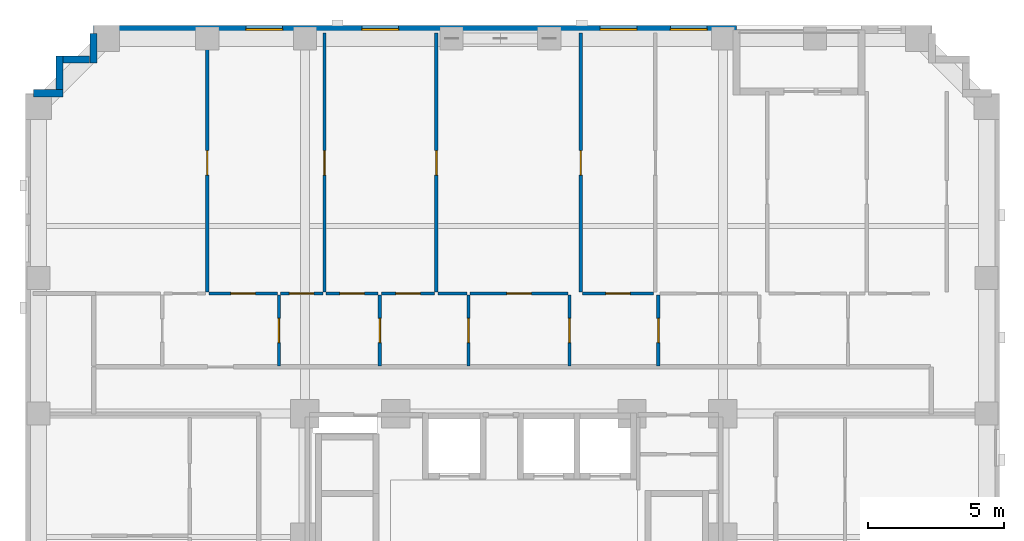
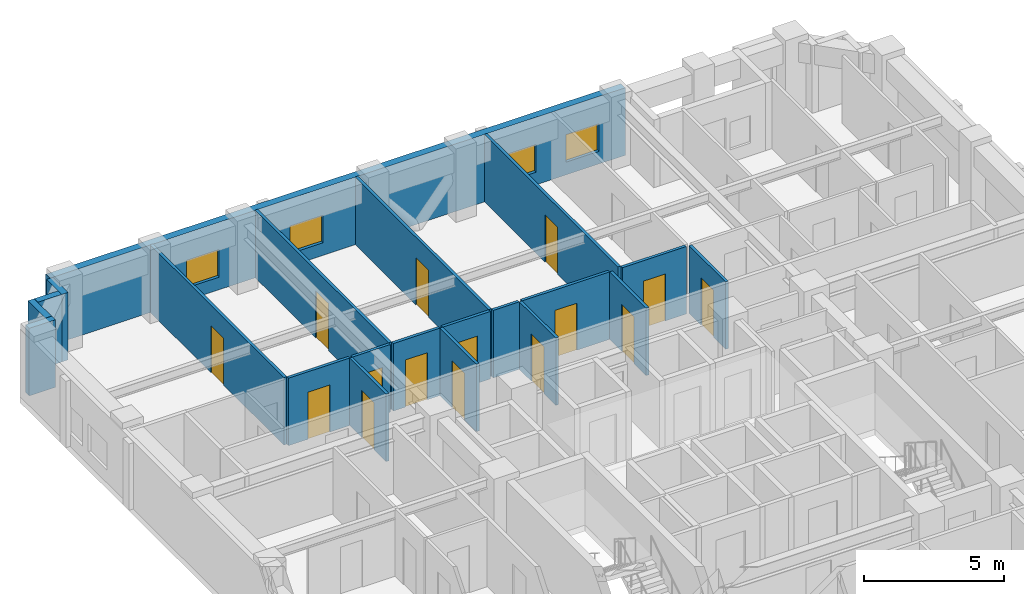
# One storey, part 7 of 12: 21 walls, 15 doors, 4 windows, 19 openings.
"""IFC4 building model written with IfcOpenShell, lengths in metres."""

import ifcopenshell
import ifcopenshell.guid

model = None  # the IFC model being written
_history = None  # IfcOwnerHistory: only IFC2X3 demands one
_inside = {}  # id of a spatial element -> (the spatial element, [elements in it])
_under = {}  # id of a project, library or spatial element -> (it, [spatial elements below it])
_declared = {}  # id of a project -> (the project, [libraries it declares])
_typed = {}  # id of a type object -> (the type object, [elements of that type])
_made_of = {}  # id of a material, layer set ... -> (it, [elements and type objects made of it])


def new_model(schema):
    """Start an empty IFC model of exactly this schema.

    Asked for "IFC4X3", IfcOpenShell would pick the latest addendum, in which some entities
    have other attributes; the version numbers below select the first issue.
    IFC2X3 requires an IfcOwnerHistory on every rooted entity: one is made here for all.
    """
    global model, _history
    if schema == "IFC4X3":
        model = ifcopenshell.file(schema_version=(4, 3, 0, 0))
    else:
        model = ifcopenshell.file(schema=schema)
    _inside.clear()
    _under.clear()
    _declared.clear()
    _typed.clear()
    _made_of.clear()
    _history = None
    if model.schema == "IFC2X3":
        org = make("IfcOrganization", Name="unknown")
        user = make(
            "IfcPersonAndOrganization",
            ThePerson=make("IfcPerson", FamilyName="unknown"),
            TheOrganization=org,
        )
        app = make(
            "IfcApplication",
            ApplicationDeveloper=org,
            Version="unknown",
            ApplicationFullName="unknown",
            ApplicationIdentifier="unknown",
        )
        _history = make(
            "IfcOwnerHistory",
            OwningUser=user,
            OwningApplication=app,
            ChangeAction="ADDED",
            CreationDate=0,
        )
    return model


def make(cls, **values):
    """One entity of the class cls with the attributes given. An attribute that is None is left unset."""
    return model.create_entity(
        cls, **{name: value for name, value in values.items() if value is not None}
    )


def rooted(cls, **values):
    """An entity with a GlobalId (a new one), such as an element, a storey or a relation."""
    return make(cls, GlobalId=ifcopenshell.guid.new(), OwnerHistory=_history, **values)


def si_unit(unit_type, name, prefix=None):
    """IfcSIUnit, for example si_unit("LENGTHUNIT", "METRE", prefix="MILLI")."""
    return make("IfcSIUnit", UnitType=unit_type, Prefix=prefix, Name=name)


def derived_unit(unit_type, elements):
    """IfcDerivedUnit: a product of units, each with its exponent."""
    return make(
        "IfcDerivedUnit",
        Elements=[
            make("IfcDerivedUnitElement", Unit=unit, Exponent=power)
            for unit, power in elements
        ],
        UnitType=unit_type,
    )


def assignment(units):
    """IfcUnitAssignment: the units of a project."""
    return None if units is None else make("IfcUnitAssignment", Units=units)


def point(xyz):
    """IfcCartesianPoint."""
    return None if xyz is None else make("IfcCartesianPoint", Coordinates=xyz)


def direction(xyz):
    """IfcDirection."""
    return None if xyz is None else make("IfcDirection", DirectionRatios=xyz)


def frame(location, z_axis=None, x_axis=None):
    """IfcAxis2Placement3D, a coordinate frame: its origin and axes. An axis left out is left unset."""
    return make(
        "IfcAxis2Placement3D",
        Location=point(location),
        Axis=direction(z_axis),
        RefDirection=direction(x_axis),
    )


def frame_2d(location, x_axis=None):
    """IfcAxis2Placement2D, a coordinate frame in the plane: its origin and x axis."""
    return make(
        "IfcAxis2Placement2D", Location=point(location), RefDirection=direction(x_axis)
    )


def origin():
    """The frame at (0, 0, 0) with its axes left unset."""
    return frame((0.0, 0.0, 0.0))


def place(relative_to, where):
    """IfcLocalPlacement: puts the frame where relative to a parent placement (None: the world)."""
    return make(
        "IfcLocalPlacement", PlacementRelTo=relative_to, RelativePlacement=where
    )


def context(
    kind, dimensions, precision=None, world=None, true_north=None, identifier=None
):
    """IfcGeometricRepresentationContext, for example the 3D "Model" context."""
    return make(
        "IfcGeometricRepresentationContext",
        ContextIdentifier=identifier,
        ContextType=kind,
        CoordinateSpaceDimension=dimensions,
        Precision=precision,
        WorldCoordinateSystem=world,
        TrueNorth=true_north,
    )


def subcontext(parent, identifier, kind, view, scale=None):
    """IfcGeometricRepresentationSubContext, for example "Body" below "Model"."""
    return make(
        "IfcGeometricRepresentationSubContext",
        ContextIdentifier=identifier,
        ContextType=kind,
        ParentContext=parent,
        TargetScale=scale,
        TargetView=view,
    )


def project(units=None, contexts=None):
    """IfcProject with its units and contexts."""
    return rooted(
        "IfcProject",
        Name="project",
        RepresentationContexts=contexts,
        UnitsInContext=assignment(units),
    )


def spatial(cls, under=None, at=None, **own):
    """A site, building, storey or space (cls), placed at a placement, below another one or the project."""
    s = rooted(cls, ObjectPlacement=at, **own)
    if under is not None:
        _under.setdefault(under.id(), (under, []))[1].append(s)
    return s


def profile(cls, at=None, kind="AREA", **sizes):
    """A parametric profile (cls). Its sizes go by their IFC names, for example OverallWidth=200.0."""
    return make(cls, ProfileType=kind, Position=at, **sizes)


def rectangle(**sizes):
    """IfcRectangleProfileDef."""
    return profile("IfcRectangleProfileDef", **sizes)


def extrude(swept, where, along, depth):
    """IfcExtrudedAreaSolid: the profile swept, set in the frame where, extruded along a direction by depth."""
    return make(
        "IfcExtrudedAreaSolid",
        SweptArea=swept,
        Position=where,
        ExtrudedDirection=direction(along),
        Depth=depth,
    )


def shape(context_of_items, identifier, shape_type, items):
    """IfcShapeRepresentation: the items that make up one representation, for example the "Body"."""
    return make(
        "IfcShapeRepresentation",
        ContextOfItems=context_of_items,
        RepresentationIdentifier=identifier,
        RepresentationType=shape_type,
        Items=items,
    )


def material(Name=None, Category=None):
    """IfcMaterial."""
    return make("IfcMaterial", Name=Name, Category=Category)


def layer(
    of_material, thickness, ventilated=None, Name=None, Category=None, Priority=None
):
    """IfcMaterialLayer: one layer of a wall or slab, of a material (None: an air gap)."""
    return make(
        "IfcMaterialLayer",
        Material=of_material,
        LayerThickness=thickness,
        IsVentilated=ventilated,
        Name=Name,
        Category=Category,
        Priority=Priority,
    )


def layer_set(layers, Name=None):
    """IfcMaterialLayerSet."""
    return make("IfcMaterialLayerSet", MaterialLayers=layers, LayerSetName=Name)


def made_of(thing, what):
    """Note that an element or type object is made of a material, layer set ...; save() writes the relation."""
    if what is not None:
        _made_of.setdefault(what.id(), (what, []))[1].append(thing)
    return thing


def type_object(cls, material=None, **own):
    """A type object (cls), such as IfcWallType, which elements share."""
    return made_of(rooted(cls, **own), material)


def element(
    cls,
    number,
    at=None,
    inside=None,
    cuts=None,
    type_object=None,
    material=None,
    context=None,
    identifier="Body",
    shape_type=None,
    held_by="IfcProductDefinitionShape",
    body=None,
    shapes=None,
    **own,
):
    """One element of the class cls, such as IfcWall. Its Tag is "e" and its number.

    at: its placement. inside: the storey or other place that contains it. cuts: it is an
    opening in that element (IfcRelVoidsElement). A single representation is given by context,
    identifier, shape_type and body (its items); several are given by shapes. held_by: the class
    of the entity that holds the representations. save() writes the other relations.
    """
    e = rooted(cls, Tag="e%d" % number, ObjectPlacement=at, **own)
    if body is not None:
        shapes = [shape(context, identifier, shape_type, body)]
    if shapes is not None:
        e.Representation = make(held_by, Representations=shapes)
    if inside is not None:
        _inside.setdefault(inside.id(), (inside, []))[1].append(e)
    if cuts is not None:
        rooted(
            "IfcRelVoidsElement", RelatingBuildingElement=cuts, RelatedOpeningElement=e
        )
    if type_object is not None:
        _typed.setdefault(type_object.id(), (type_object, []))[1].append(e)
    return made_of(e, material)


def fill(opening, filler):
    """IfcRelFillsElement: the door or window that sits in an opening."""
    return rooted(
        "IfcRelFillsElement",
        RelatingOpeningElement=opening,
        RelatedBuildingElement=filler,
    )


def aggregate(whole, parts):
    """IfcRelAggregates: a whole, such as a stair, and the parts it consists of."""
    return rooted("IfcRelAggregates", RelatingObject=whole, RelatedObjects=parts)


def save(model, path):
    """Write the relations noted so far, then the file.

    IfcRelAggregates (storeys below a building ...), IfcRelContainedInSpatialStructure (elements
    in a storey), IfcRelDefinesByType, IfcRelAssociatesMaterial and IfcRelDeclares: one each for
    every whole, place, type object, material and project.
    """
    for whole, parts in _under.values():
        aggregate(whole, parts)
    for where, things in _inside.values():
        rooted(
            "IfcRelContainedInSpatialStructure",
            RelatedElements=things,
            RelatingStructure=where,
        )
    for kind, things in _typed.values():
        rooted("IfcRelDefinesByType", RelatedObjects=things, RelatingType=kind)
    for what, things in _made_of.values():
        rooted("IfcRelAssociatesMaterial", RelatedObjects=things, RelatingMaterial=what)
    for by, libraries in _declared.values():
        rooted("IfcRelDeclares", RelatingContext=by, RelatedDefinitions=libraries)
    model.write(path)


model = new_model("IFC4")

# Units and contexts
model_context = context("Model", 3, precision=1e-05, world=origin(), true_north=direction((0.0, 1.0)))
body_context = subcontext(model_context, "Body", "Model", "MODEL_VIEW")
ifc_project = project(units=[si_unit("LENGTHUNIT", "METRE"), si_unit("AREAUNIT", "SQUARE_METRE"), si_unit("VOLUMEUNIT", "CUBIC_METRE"), si_unit("PLANEANGLEUNIT", "RADIAN"), si_unit("MASSUNIT", "GRAM", prefix="KILO"), derived_unit("THERMALTRANSMITTANCEUNIT", [(si_unit("MASSUNIT", "GRAM", prefix="KILO"), 1), (si_unit("TIMEUNIT", "SECOND"), -3), (si_unit("THERMODYNAMICTEMPERATUREUNIT", "KELVIN"), -1)])], contexts=[model_context])

# Site, building, storey
site_placement = place(None, origin())
site = spatial("IfcSite", under=ifc_project, at=site_placement, CompositionType="ELEMENT")
building_placement = place(site_placement, origin())
building = spatial("IfcBuilding", under=site, at=building_placement, Name="Korrvale Station Residences", CompositionType="ELEMENT")
storey_placement = place(building_placement, frame((0.0, 0.0, 78.300048828125)))
storey = spatial("IfcBuildingStorey", under=building, at=storey_placement, Name="L21", CompositionType="ELEMENT", Elevation=78.300048828125)

# Walls
ifc_material_1 = material(Name="Precast concrete C45/55", Category="concrete")
ifc_layer_1 = layer(ifc_material_1, 0.260009765625, Name="Precast concrete C45/55")
ifc_layer_set_1 = layer_set([ifc_layer_1], Name="Precast concrete C45/55")
wall_type_1 = type_object("IfcWallType", Name="WAL-EXT-LOG260", PredefinedType="SOLIDWALL", material=ifc_layer_set_1)
wall_1_placement = place(storey_placement, frame((7.802001953125, 40.800048828125, 0.0), z_axis=(0.0, 0.0, 1.0), x_axis=(1.0, 0.0, 0.0)))
element("IfcWall", 1, at=wall_1_placement, inside=storey, type_object=wall_type_1, Name="L21 Serrated Corner Precast Step NW-1", PredefinedType="SOLIDWALL", context=body_context, shape_type="SweptSolid", body=[
    extrude(rectangle(XDim=1.077880859375, YDim=0.260009765625, at=frame_2d((0.5390625, 0.0))), origin(), (0.0, 0.0, 1.0), 2.93994140625),
])
wall_2_placement = place(storey_placement, frame((8.75, 40.931884765625, 0.0), z_axis=(0.0, 0.0, 1.0), x_axis=(0.0, 1.0, 0.0)))
element("IfcWall", 2, at=wall_2_placement, inside=storey, type_object=wall_type_1, Name="L21 Serrated Corner Precast Step NW-2", PredefinedType="SOLIDWALL", context=body_context, shape_type="SweptSolid", body=[
    extrude(rectangle(XDim=1.248046875, YDim=0.260009765625, at=frame_2d((0.6240234375, 0.0))), origin(), (0.0, 0.0, 1.0), 2.93994140625),
])
wall_3_placement = place(storey_placement, frame((8.882080078125, 42.050048828125, 0.0), z_axis=(0.0, 0.0, 1.0), x_axis=(1.0, 0.0, 0.0)))
element("IfcWall", 3, at=wall_3_placement, inside=storey, type_object=wall_type_1, Name="L21 Serrated Corner Precast Step NW-3", PredefinedType="SOLIDWALL", context=body_context, shape_type="SweptSolid", body=[
    extrude(rectangle(XDim=0.98583984375, YDim=0.260009765625, at=frame_2d((0.492919921875, 0.0))), origin(), (0.0, 0.0, 1.0), 2.93994140625),
])
wall_4_placement = place(storey_placement, frame((10.0, 41.919921875, 0.0), z_axis=(0.0, 0.0, 1.0), x_axis=(0.0, 1.0, 0.0)))
element("IfcWall", 4, at=wall_4_placement, inside=storey, type_object=wall_type_1, Name="L21 Serrated Corner Precast Step NW-4", PredefinedType="SOLIDWALL", context=body_context, shape_type="SweptSolid", body=[
    extrude(rectangle(XDim=1.078125, YDim=0.260009765625, at=frame_2d((0.5390625, 0.0))), origin(), (0.0, 0.0, 1.0), 2.93994140625),
])

# Wall, openings, windows
ifc_layer_2 = layer(ifc_material_1, 0.300048828125, Name="Precast concrete C45/55")
ifc_layer_set_2 = layer_set([ifc_layer_2], Name="Precast concrete C45/55")
wall_type_2 = type_object("IfcWallType", Name="WAL-EXT-PC300", PredefinedType="SOLIDWALL", material=ifc_layer_set_2)
wall_5_placement = place(storey_placement, frame((10.0, 43.14990234375, 0.0), z_axis=(0.0, 0.0, 1.0), x_axis=(1.0, 0.0, 0.0)))
wall_5 = element("IfcWall", 5, at=wall_5_placement, inside=storey, type_object=wall_type_2, Name="L21 North Exterior Precast Wall 1", PredefinedType="SOLIDWALL", context=body_context, shape_type="SweptSolid", body=[
    extrude(rectangle(XDim=23.699951171875, YDim=0.300048828125, at=frame_2d((11.85009765625, 0.0))), origin(), (0.0, 0.0, 1.0), 2.93994140625),
])
opening_1_placement = place(wall_5_placement, frame((5.625, 0.0, 0.550048828125)))
opening_1 = element("IfcOpeningElement", 6, at=opening_1_placement, cuts=wall_5, Name="Opening W-10", PredefinedType="OPENING", context=body_context, shape_type="SweptSolid", body=[
    extrude(rectangle(XDim=1.35009765625, YDim=1.199951171875, at=frame_2d((0.675048828125, 0.60009765625))), frame((0.0, 0.16015625, 0.0), z_axis=(0.0, -1.0, 0.0), x_axis=(1.0, 0.0, 0.0)), (0.0, 0.0, 1.0), 0.320068359375),
])
opening_2_placement = place(wall_5_placement, frame((9.89990234375, 0.0, 0.550048828125)))
opening_2 = element("IfcOpeningElement", 7, at=opening_2_placement, cuts=wall_5, Name="Opening W-10", PredefinedType="OPENING", context=body_context, shape_type="SweptSolid", body=[
    extrude(rectangle(XDim=1.35009765625, YDim=1.199951171875, at=frame_2d((0.675048828125, 0.60009765625))), frame((0.0, 0.16015625, 0.0), z_axis=(0.0, -1.0, 0.0), x_axis=(1.0, 0.0, 0.0)), (0.0, 0.0, 1.0), 0.320068359375),
])
opening_3_placement = place(wall_5_placement, frame((18.675048828125, 0.0, 0.550048828125)))
opening_3 = element("IfcOpeningElement", 8, at=opening_3_placement, cuts=wall_5, Name="Opening W-10", PredefinedType="OPENING", context=body_context, shape_type="SweptSolid", body=[
    extrude(rectangle(XDim=1.35009765625, YDim=1.199951171875, at=frame_2d((0.675048828125, 0.60009765625))), frame((0.0, 0.16015625, 0.0), z_axis=(0.0, -1.0, 0.0), x_axis=(1.0, 0.0, 0.0)), (0.0, 0.0, 1.0), 0.320068359375),
])
opening_4_placement = place(wall_5_placement, frame((21.264892578125, 0.0, 0.550048828125)))
opening_4 = element("IfcOpeningElement", 9, at=opening_4_placement, cuts=wall_5, Name="Opening W-10", PredefinedType="OPENING", context=body_context, shape_type="SweptSolid", body=[
    extrude(rectangle(XDim=1.35009765625, YDim=1.199951171875, at=frame_2d((0.675048828125, 0.60009765625))), frame((0.0, 0.16015625, 0.0), z_axis=(0.0, -1.0, 0.0), x_axis=(1.0, 0.0, 0.0)), (0.0, 0.0, 1.0), 0.320068359375),
])
ifc_material_2 = material(Name="Thermally broken aluminium frame with triple low-e glazing", Category="aluminium")
window_type = type_object("IfcWindowType", Name="WIN-W10", PartitioningType="SINGLE_PANEL", PredefinedType="WINDOW", material=ifc_material_2)
window_1_placement = place(opening_1_placement, origin())
window_1 = element("IfcWindow", 10, at=window_1_placement, inside=storey, type_object=window_type, Name="L21 Punched Window 12", OverallHeight=1.199951171875, OverallWidth=1.35009765625, PartitioningType="SINGLE_PANEL", PredefinedType="WINDOW", context=body_context, shape_type="SweptSolid", body=[
    extrude(rectangle(XDim=1.35009765625, YDim=1.199951171875, at=frame_2d((0.675048828125, 0.60009765625))), frame((0.0, 0.030029296875, 0.0), z_axis=(0.0, -1.0, 0.0), x_axis=(1.0, 0.0, 0.0)), (0.0, 0.0, 1.0), 0.06005859375),
])
fill(opening_1, window_1)
window_2_placement = place(opening_2_placement, origin())
window_2 = element("IfcWindow", 11, at=window_2_placement, inside=storey, type_object=window_type, Name="L21 Punched Window 13", OverallHeight=1.199951171875, OverallWidth=1.35009765625, PartitioningType="SINGLE_PANEL", PredefinedType="WINDOW", context=body_context, shape_type="SweptSolid", body=[
    extrude(rectangle(XDim=1.35009765625, YDim=1.199951171875, at=frame_2d((0.675048828125, 0.60009765625))), frame((0.0, 0.030029296875, 0.0), z_axis=(0.0, -1.0, 0.0), x_axis=(1.0, 0.0, 0.0)), (0.0, 0.0, 1.0), 0.06005859375),
])
fill(opening_2, window_2)
window_3_placement = place(opening_3_placement, origin())
window_3 = element("IfcWindow", 12, at=window_3_placement, inside=storey, type_object=window_type, Name="L21 Punched Window 14", OverallHeight=1.199951171875, OverallWidth=1.35009765625, PartitioningType="SINGLE_PANEL", PredefinedType="WINDOW", context=body_context, shape_type="SweptSolid", body=[
    extrude(rectangle(XDim=1.35009765625, YDim=1.199951171875, at=frame_2d((0.675048828125, 0.60009765625))), frame((0.0, 0.030029296875, 0.0), z_axis=(0.0, -1.0, 0.0), x_axis=(1.0, 0.0, 0.0)), (0.0, 0.0, 1.0), 0.06005859375),
])
fill(opening_3, window_3)
window_4_placement = place(opening_4_placement, origin())
window_4 = element("IfcWindow", 13, at=window_4_placement, inside=storey, type_object=window_type, Name="L21 Punched Window 15", OverallHeight=1.199951171875, OverallWidth=1.35009765625, PartitioningType="SINGLE_PANEL", PredefinedType="WINDOW", context=body_context, shape_type="SweptSolid", body=[
    extrude(rectangle(XDim=1.35009765625, YDim=1.199951171875, at=frame_2d((0.675048828125, 0.60009765625))), frame((0.0, 0.030029296875, 0.0), z_axis=(0.0, -1.0, 0.0), x_axis=(1.0, 0.0, 0.0)), (0.0, 0.0, 1.0), 0.06005859375),
])
fill(opening_4, window_4)

# Wall, opening, door
ifc_material_3 = material(Name="Acoustic steel-stud gypsum board partition", Category="steel")
ifc_layer_3 = layer(ifc_material_3, 0.1201171875, Name="Acoustic steel-stud gypsum board partition")
ifc_layer_set_3 = layer_set([ifc_layer_3], Name="Acoustic steel-stud gypsum board partition")
wall_type_3 = type_object("IfcWallType", Name="WAL-PART-125", PredefinedType="PARTITIONING", material=ifc_layer_set_3)
wall_6_placement = place(storey_placement, frame((16.840087890625, 30.760009765625, 0.0), z_axis=(0.0, 0.0, 1.0), x_axis=(0.0, 1.0, 0.0)))
wall_6 = element("IfcWall", 14, at=wall_6_placement, inside=storey, type_object=wall_type_3, Name="L21 Suite Partition U04-V12", PredefinedType="PARTITIONING", context=body_context, shape_type="SweptSolid", body=[
    extrude(rectangle(XDim=2.60009765625, YDim=0.1201171875, at=frame_2d((1.300048828125, 0.0))), origin(), (0.0, 0.0, 1.0), 2.93994140625),
])
opening_5_placement = place(wall_6_placement, frame((0.85009765625, 0.0, 0.0)))
opening_5 = element("IfcOpeningElement", 15, at=opening_5_placement, cuts=wall_6, Name="Opening DI-900", PredefinedType="OPENING", context=body_context, shape_type="SweptSolid", body=[
    extrude(rectangle(XDim=0.89990234375, YDim=2.050048828125, at=frame_2d((0.449951171875, 1.02490234375))), frame((0.0, 0.070068359375, 0.0), z_axis=(0.0, -1.0, 0.0), x_axis=(1.0, 0.0, 0.0)), (0.0, 0.0, 1.0), 0.14013671875),
])
ifc_material_4 = material(Name="Painted solid-core timber interior room door", Category="wood")
door_type = type_object("IfcDoorType", Name="DR-INT-900", OperationType="NOTDEFINED", PredefinedType="DOOR", material=ifc_material_4)
door_1_placement = place(opening_5_placement, origin())
door_1 = element("IfcDoor", 16, at=door_1_placement, inside=storey, type_object=door_type, Name="L21 Apartment 3BR L21-U04 Kitchen Door", OperationType="SINGLE_SWING_RIGHT", OverallHeight=2.050048828125, OverallWidth=0.89990234375, PredefinedType="DOOR", context=body_context, shape_type="SweptSolid", body=[
    extrude(rectangle(XDim=0.89990234375, YDim=2.050048828125, at=frame_2d((0.449951171875, 1.02490234375))), frame((0.0, 0.02490234375, 0.0), z_axis=(0.0, -1.0, 0.0), x_axis=(1.0, 0.0, 0.0)), (0.0, 0.0, 1.0), 0.050048828125),
])
fill(opening_5, door_1)

wall_7_placement = place(storey_placement, frame((14.260009765625, 33.419921875, 0.0), z_axis=(0.0, 0.0, 1.0), x_axis=(1.0, 0.0, 0.0)))
wall_7 = element("IfcWall", 17, at=wall_7_placement, inside=storey, type_object=wall_type_3, Name="L21 Suite Partition U04-H110", PredefinedType="PARTITIONING", context=body_context, shape_type="SweptSolid", body=[
    extrude(rectangle(XDim=2.52001953125, YDim=0.1201171875, at=frame_2d((1.260009765625, 0.0))), origin(), (0.0, 0.0, 1.0), 2.93994140625),
])
opening_6_placement = place(wall_7_placement, frame((0.81005859375, 0.0, 0.0)))
opening_6 = element("IfcOpeningElement", 18, at=opening_6_placement, cuts=wall_7, Name="Opening DI-900", PredefinedType="OPENING", context=body_context, shape_type="SweptSolid", body=[
    extrude(rectangle(XDim=0.89990234375, YDim=2.050048828125, at=frame_2d((0.449951171875, 1.02490234375))), frame((0.0, 0.070068359375, 0.0), z_axis=(0.0, -1.0, 0.0), x_axis=(1.0, 0.0, 0.0)), (0.0, 0.0, 1.0), 0.14013671875),
])
door_2_placement = place(opening_6_placement, origin())
door_2 = element("IfcDoor", 19, at=door_2_placement, inside=storey, type_object=door_type, Name="L21 Apartment 3BR L21-U04 Kitchen Door", OperationType="SINGLE_SWING_RIGHT", OverallHeight=2.050048828125, OverallWidth=0.89990234375, PredefinedType="DOOR", context=body_context, shape_type="SweptSolid", body=[
    extrude(rectangle(XDim=0.89990234375, YDim=2.050048828125, at=frame_2d((0.449951171875, 1.02490234375))), frame((0.0, 0.02490234375, 0.0), z_axis=(0.0, -1.0, 0.0), x_axis=(1.0, 0.0, 0.0)), (0.0, 0.0, 1.0), 0.050048828125),
])
fill(opening_6, door_2)

wall_8_placement = place(storey_placement, frame((20.56005859375, 30.760009765625, 0.0), z_axis=(0.0, 0.0, 1.0), x_axis=(0.0, 1.0, 0.0)))
wall_8 = element("IfcWall", 20, at=wall_8_placement, inside=storey, type_object=wall_type_3, Name="L21 Suite Partition U04-V23", PredefinedType="PARTITIONING", context=body_context, shape_type="SweptSolid", body=[
    extrude(rectangle(XDim=2.60009765625, YDim=0.1201171875, at=frame_2d((1.300048828125, 0.0))), origin(), (0.0, 0.0, 1.0), 2.93994140625),
])
opening_7_placement = place(wall_8_placement, frame((0.85009765625, 0.0, 0.0)))
opening_7 = element("IfcOpeningElement", 21, at=opening_7_placement, cuts=wall_8, Name="Opening DI-900", PredefinedType="OPENING", context=body_context, shape_type="SweptSolid", body=[
    extrude(rectangle(XDim=0.89990234375, YDim=2.050048828125, at=frame_2d((0.449951171875, 1.02490234375))), frame((0.0, 0.070068359375, 0.0), z_axis=(0.0, -1.0, 0.0), x_axis=(1.0, 0.0, 0.0)), (0.0, 0.0, 1.0), 0.14013671875),
])
door_3_placement = place(opening_7_placement, origin())
door_3 = element("IfcDoor", 22, at=door_3_placement, inside=storey, type_object=door_type, Name="L21 Apartment 3BR L21-U04 Utility and Laundry Room Door", OperationType="SINGLE_SWING_LEFT", OverallHeight=2.050048828125, OverallWidth=0.89990234375, PredefinedType="DOOR", context=body_context, shape_type="SweptSolid", body=[
    extrude(rectangle(XDim=0.89990234375, YDim=2.050048828125, at=frame_2d((0.449951171875, 1.02490234375))), frame((0.0, 0.02490234375, 0.0), z_axis=(0.0, -1.0, 0.0), x_axis=(1.0, 0.0, 0.0)), (0.0, 0.0, 1.0), 0.050048828125),
])
fill(opening_7, door_3)

wall_9_placement = place(storey_placement, frame((16.89990234375, 33.419921875, 0.0), z_axis=(0.0, 0.0, 1.0), x_axis=(1.0, 0.0, 0.0)))
wall_9 = element("IfcWall", 23, at=wall_9_placement, inside=storey, type_object=wall_type_3, Name="L21 Suite Partition U04-H210", PredefinedType="PARTITIONING", context=body_context, shape_type="SweptSolid", body=[
    extrude(rectangle(XDim=1.56005859375, YDim=0.1201171875, at=frame_2d((0.780029296875, 0.0))), origin(), (0.0, 0.0, 1.0), 2.93994140625),
])
opening_8_placement = place(wall_9_placement, frame((0.330078125, 0.0, 0.0)))
opening_8 = element("IfcOpeningElement", 24, at=opening_8_placement, cuts=wall_9, Name="Opening DI-900", PredefinedType="OPENING", context=body_context, shape_type="SweptSolid", body=[
    extrude(rectangle(XDim=0.89990234375, YDim=2.050048828125, at=frame_2d((0.449951171875, 1.02490234375))), frame((0.0, 0.070068359375, 0.0), z_axis=(0.0, -1.0, 0.0), x_axis=(1.0, 0.0, 0.0)), (0.0, 0.0, 1.0), 0.14013671875),
])
door_4_placement = place(opening_8_placement, origin())
door_4 = element("IfcDoor", 25, at=door_4_placement, inside=storey, type_object=door_type, Name="L21 Apartment 3BR L21-U04 Utility and Laundry Room Door", OperationType="SINGLE_SWING_RIGHT", OverallHeight=2.050048828125, OverallWidth=0.89990234375, PredefinedType="DOOR", context=body_context, shape_type="SweptSolid", body=[
    extrude(rectangle(XDim=0.89990234375, YDim=2.050048828125, at=frame_2d((0.449951171875, 1.02490234375))), frame((0.0, 0.02490234375, 0.0), z_axis=(0.0, -1.0, 0.0), x_axis=(1.0, 0.0, 0.0)), (0.0, 0.0, 1.0), 0.050048828125),
])
fill(opening_8, door_4)

wall_10_placement = place(storey_placement, frame((18.580078125, 33.419921875, 0.0), z_axis=(0.0, 0.0, 1.0), x_axis=(1.0, 0.0, 0.0)))
wall_10 = element("IfcWall", 26, at=wall_10_placement, inside=storey, type_object=wall_type_3, Name="L21 Suite Partition U04-H211", PredefinedType="PARTITIONING", context=body_context, shape_type="SweptSolid", body=[
    extrude(rectangle(XDim=1.919921875, YDim=0.1201171875, at=frame_2d((0.9599609375, 0.0))), origin(), (0.0, 0.0, 1.0), 2.93994140625),
])
opening_9_placement = place(wall_10_placement, frame((0.510009765625, 0.0, 0.0)))
opening_9 = element("IfcOpeningElement", 27, at=opening_9_placement, cuts=wall_10, Name="Opening DI-900", PredefinedType="OPENING", context=body_context, shape_type="SweptSolid", body=[
    extrude(rectangle(XDim=0.89990234375, YDim=2.050048828125, at=frame_2d((0.449951171875, 1.02490234375))), frame((0.0, 0.070068359375, 0.0), z_axis=(0.0, -1.0, 0.0), x_axis=(1.0, 0.0, 0.0)), (0.0, 0.0, 1.0), 0.14013671875),
])
door_5_placement = place(opening_9_placement, origin())
door_5 = element("IfcDoor", 28, at=door_5_placement, inside=storey, type_object=door_type, Name="L21 Apartment 3BR L21-U04 Utility and Laundry Room Door", OperationType="SINGLE_SWING_LEFT", OverallHeight=2.050048828125, OverallWidth=0.89990234375, PredefinedType="DOOR", context=body_context, shape_type="SweptSolid", body=[
    extrude(rectangle(XDim=0.89990234375, YDim=2.050048828125, at=frame_2d((0.449951171875, 1.02490234375))), frame((0.0, 0.02490234375, 0.0), z_axis=(0.0, -1.0, 0.0), x_axis=(1.0, 0.0, 0.0)), (0.0, 0.0, 1.0), 0.050048828125),
])
fill(opening_9, door_5)

wall_11_placement = place(storey_placement, frame((23.830078125, 30.760009765625, 0.0), z_axis=(0.0, 0.0, 1.0), x_axis=(0.0, 1.0, 0.0)))
wall_11 = element("IfcWall", 29, at=wall_11_placement, inside=storey, type_object=wall_type_3, Name="L21 Suite Partition U04-V34", PredefinedType="PARTITIONING", context=body_context, shape_type="SweptSolid", body=[
    extrude(rectangle(XDim=2.60009765625, YDim=0.1201171875, at=frame_2d((1.300048828125, 0.0))), origin(), (0.0, 0.0, 1.0), 2.93994140625),
])
opening_10_placement = place(wall_11_placement, frame((0.85009765625, 0.0, 0.0)))
opening_10 = element("IfcOpeningElement", 30, at=opening_10_placement, cuts=wall_11, Name="Opening DI-900", PredefinedType="OPENING", context=body_context, shape_type="SweptSolid", body=[
    extrude(rectangle(XDim=0.89990234375, YDim=2.050048828125, at=frame_2d((0.449951171875, 1.02490234375))), frame((0.0, 0.070068359375, 0.0), z_axis=(0.0, -1.0, 0.0), x_axis=(1.0, 0.0, 0.0)), (0.0, 0.0, 1.0), 0.14013671875),
])
door_6_placement = place(opening_10_placement, origin())
door_6 = element("IfcDoor", 31, at=door_6_placement, inside=storey, type_object=door_type, Name="L21 Apartment 3BR L21-U04 Storage Closet 2 Door", OperationType="SINGLE_SWING_RIGHT", OverallHeight=2.050048828125, OverallWidth=0.89990234375, PredefinedType="DOOR", context=body_context, shape_type="SweptSolid", body=[
    extrude(rectangle(XDim=0.89990234375, YDim=2.050048828125, at=frame_2d((0.449951171875, 1.02490234375))), frame((0.0, 0.02490234375, 0.0), z_axis=(0.0, -1.0, 0.0), x_axis=(1.0, 0.0, 0.0)), (0.0, 0.0, 1.0), 0.050048828125),
])
fill(opening_10, door_6)

wall_12_placement = place(storey_placement, frame((20.6201171875, 33.419921875, 0.0), z_axis=(0.0, 0.0, 1.0), x_axis=(1.0, 0.0, 0.0)))
wall_12 = element("IfcWall", 32, at=wall_12_placement, inside=storey, type_object=wall_type_3, Name="L21 Suite Partition U04-H311", PredefinedType="PARTITIONING", context=body_context, shape_type="SweptSolid", body=[
    extrude(rectangle(XDim=1.9599609375, YDim=0.1201171875, at=frame_2d((0.97998046875, 0.0))), origin(), (0.0, 0.0, 1.0), 2.93994140625),
])
opening_11_placement = place(wall_12_placement, frame((0.530029296875, 0.0, 0.0)))
opening_11 = element("IfcOpeningElement", 33, at=opening_11_placement, cuts=wall_12, Name="Opening DI-900", PredefinedType="OPENING", context=body_context, shape_type="SweptSolid", body=[
    extrude(rectangle(XDim=0.89990234375, YDim=2.050048828125, at=frame_2d((0.449951171875, 1.02490234375))), frame((0.0, 0.070068359375, 0.0), z_axis=(0.0, -1.0, 0.0), x_axis=(1.0, 0.0, 0.0)), (0.0, 0.0, 1.0), 0.14013671875),
])
door_7_placement = place(opening_11_placement, origin())
door_7 = element("IfcDoor", 34, at=door_7_placement, inside=storey, type_object=door_type, Name="L21 Apartment 3BR L21-U04 Storage Closet 2 Door", OperationType="SINGLE_SWING_LEFT", OverallHeight=2.050048828125, OverallWidth=0.89990234375, PredefinedType="DOOR", context=body_context, shape_type="SweptSolid", body=[
    extrude(rectangle(XDim=0.89990234375, YDim=2.050048828125, at=frame_2d((0.449951171875, 1.02490234375))), frame((0.0, 0.02490234375, 0.0), z_axis=(0.0, -1.0, 0.0), x_axis=(1.0, 0.0, 0.0)), (0.0, 0.0, 1.0), 0.050048828125),
])
fill(opening_11, door_7)

# Wall
wall_13_placement = place(storey_placement, frame((22.699951171875, 33.419921875, 0.0), z_axis=(0.0, 0.0, 1.0), x_axis=(1.0, 0.0, 0.0)))
element("IfcWall", 35, at=wall_13_placement, inside=storey, type_object=wall_type_3, Name="L21 Suite Partition U04-H312", PredefinedType="PARTITIONING", context=body_context, shape_type="SweptSolid", body=[
    extrude(rectangle(XDim=1.070068359375, YDim=0.1201171875, at=frame_2d((0.53515625, 0.0))), origin(), (0.0, 0.0, 1.0), 2.93994140625),
])

# Wall, opening, door
wall_14_placement = place(storey_placement, frame((27.550048828125, 30.760009765625, 0.0), z_axis=(0.0, 0.0, 1.0), x_axis=(0.0, 1.0, 0.0)))
wall_14 = element("IfcWall", 36, at=wall_14_placement, inside=storey, type_object=wall_type_3, Name="L21 Suite Partition U04-V45", PredefinedType="PARTITIONING", context=body_context, shape_type="SweptSolid", body=[
    extrude(rectangle(XDim=2.60009765625, YDim=0.1201171875, at=frame_2d((1.300048828125, 0.0))), origin(), (0.0, 0.0, 1.0), 2.93994140625),
])
opening_12_placement = place(wall_14_placement, frame((0.85009765625, 0.0, 0.0)))
opening_12 = element("IfcOpeningElement", 37, at=opening_12_placement, cuts=wall_14, Name="Opening DI-900", PredefinedType="OPENING", context=body_context, shape_type="SweptSolid", body=[
    extrude(rectangle(XDim=0.89990234375, YDim=2.050048828125, at=frame_2d((0.449951171875, 1.02490234375))), frame((0.0, 0.070068359375, 0.0), z_axis=(0.0, -1.0, 0.0), x_axis=(1.0, 0.0, 0.0)), (0.0, 0.0, 1.0), 0.14013671875),
])
door_8_placement = place(opening_12_placement, origin())
door_8 = element("IfcDoor", 38, at=door_8_placement, inside=storey, type_object=door_type, Name="L21 Apartment 3BR L21-U04 Storage Closet 3 Door", OperationType="SINGLE_SWING_RIGHT", OverallHeight=2.050048828125, OverallWidth=0.89990234375, PredefinedType="DOOR", context=body_context, shape_type="SweptSolid", body=[
    extrude(rectangle(XDim=0.89990234375, YDim=2.050048828125, at=frame_2d((0.449951171875, 1.02490234375))), frame((0.0, 0.02490234375, 0.0), z_axis=(0.0, -1.0, 0.0), x_axis=(1.0, 0.0, 0.0)), (0.0, 0.0, 1.0), 0.050048828125),
])
fill(opening_12, door_8)

wall_15_placement = place(storey_placement, frame((23.889892578125, 33.419921875, 0.0), z_axis=(0.0, 0.0, 1.0), x_axis=(1.0, 0.0, 0.0)))
wall_15 = element("IfcWall", 39, at=wall_15_placement, inside=storey, type_object=wall_type_3, Name="L21 Suite Partition U04-H412", PredefinedType="PARTITIONING", context=body_context, shape_type="SweptSolid", body=[
    extrude(rectangle(XDim=3.60009765625, YDim=0.1201171875, at=frame_2d((1.800048828125, 0.0))), origin(), (0.0, 0.0, 1.0), 2.93994140625),
])
opening_13_placement = place(wall_15_placement, frame((1.35009765625, 0.0, 0.0)))
opening_13 = element("IfcOpeningElement", 40, at=opening_13_placement, cuts=wall_15, Name="Opening DI-900", PredefinedType="OPENING", context=body_context, shape_type="SweptSolid", body=[
    extrude(rectangle(XDim=0.89990234375, YDim=2.050048828125, at=frame_2d((0.449951171875, 1.02490234375))), frame((0.0, 0.070068359375, 0.0), z_axis=(0.0, -1.0, 0.0), x_axis=(1.0, 0.0, 0.0)), (0.0, 0.0, 1.0), 0.14013671875),
])
door_9_placement = place(opening_13_placement, origin())
door_9 = element("IfcDoor", 41, at=door_9_placement, inside=storey, type_object=door_type, Name="L21 Apartment 3BR L21-U04 Storage Closet 3 Door", OperationType="SINGLE_SWING_LEFT", OverallHeight=2.050048828125, OverallWidth=0.89990234375, PredefinedType="DOOR", context=body_context, shape_type="SweptSolid", body=[
    extrude(rectangle(XDim=0.89990234375, YDim=2.050048828125, at=frame_2d((0.449951171875, 1.02490234375))), frame((0.0, 0.02490234375, 0.0), z_axis=(0.0, -1.0, 0.0), x_axis=(1.0, 0.0, 0.0)), (0.0, 0.0, 1.0), 0.050048828125),
])
fill(opening_13, door_9)

wall_16_placement = place(storey_placement, frame((30.820068359375, 30.760009765625, 0.0), z_axis=(0.0, 0.0, 1.0), x_axis=(0.0, 1.0, 0.0)))
wall_16 = element("IfcWall", 42, at=wall_16_placement, inside=storey, type_object=wall_type_3, Name="L21 Suite Partition U04-V56", PredefinedType="PARTITIONING", context=body_context, shape_type="SweptSolid", body=[
    extrude(rectangle(XDim=2.60009765625, YDim=0.1201171875, at=frame_2d((1.300048828125, 0.0))), origin(), (0.0, 0.0, 1.0), 2.93994140625),
])
opening_14_placement = place(wall_16_placement, frame((0.85009765625, 0.0, 0.0)))
opening_14 = element("IfcOpeningElement", 43, at=opening_14_placement, cuts=wall_16, Name="Opening DI-900", PredefinedType="OPENING", context=body_context, shape_type="SweptSolid", body=[
    extrude(rectangle(XDim=0.89990234375, YDim=2.050048828125, at=frame_2d((0.449951171875, 1.02490234375))), frame((0.0, 0.070068359375, 0.0), z_axis=(0.0, -1.0, 0.0), x_axis=(1.0, 0.0, 0.0)), (0.0, 0.0, 1.0), 0.14013671875),
])
door_10_placement = place(opening_14_placement, origin())
door_10 = element("IfcDoor", 44, at=door_10_placement, inside=storey, type_object=door_type, Name="L21 Apartment 3BR L21-U04 Storage Closet 4 Door", OperationType="SINGLE_SWING_RIGHT", OverallHeight=2.050048828125, OverallWidth=0.89990234375, PredefinedType="DOOR", context=body_context, shape_type="SweptSolid", body=[
    extrude(rectangle(XDim=0.89990234375, YDim=2.050048828125, at=frame_2d((0.449951171875, 1.02490234375))), frame((0.0, 0.02490234375, 0.0), z_axis=(0.0, -1.0, 0.0), x_axis=(1.0, 0.0, 0.0)), (0.0, 0.0, 1.0), 0.050048828125),
])
fill(opening_14, door_10)

wall_17_placement = place(storey_placement, frame((28.02001953125, 33.419921875, 0.0), z_axis=(0.0, 0.0, 1.0), x_axis=(1.0, 0.0, 0.0)))
wall_17 = element("IfcWall", 45, at=wall_17_placement, inside=storey, type_object=wall_type_3, Name="L21 Suite Partition U04-H513", PredefinedType="PARTITIONING", context=body_context, shape_type="SweptSolid", body=[
    extrude(rectangle(XDim=2.6298828125, YDim=0.1201171875, at=frame_2d((1.31494140625, 0.0))), origin(), (0.0, 0.0, 1.0), 2.93994140625),
])
opening_15_placement = place(wall_17_placement, frame((0.864990234375, 0.0, 0.0)))
opening_15 = element("IfcOpeningElement", 46, at=opening_15_placement, cuts=wall_17, Name="Opening DI-900", PredefinedType="OPENING", context=body_context, shape_type="SweptSolid", body=[
    extrude(rectangle(XDim=0.89990234375, YDim=2.050048828125, at=frame_2d((0.449951171875, 1.02490234375))), frame((0.0, 0.070068359375, 0.0), z_axis=(0.0, -1.0, 0.0), x_axis=(1.0, 0.0, 0.0)), (0.0, 0.0, 1.0), 0.14013671875),
])
door_11_placement = place(opening_15_placement, origin())
door_11 = element("IfcDoor", 47, at=door_11_placement, inside=storey, type_object=door_type, Name="L21 Apartment 3BR L21-U04 Storage Closet 4 Door", OperationType="SINGLE_SWING_LEFT", OverallHeight=2.050048828125, OverallWidth=0.89990234375, PredefinedType="DOOR", context=body_context, shape_type="SweptSolid", body=[
    extrude(rectangle(XDim=0.89990234375, YDim=2.050048828125, at=frame_2d((0.449951171875, 1.02490234375))), frame((0.0, 0.02490234375, 0.0), z_axis=(0.0, -1.0, 0.0), x_axis=(1.0, 0.0, 0.0)), (0.0, 0.0, 1.0), 0.050048828125),
])
fill(opening_15, door_11)

wall_18_placement = place(storey_placement, frame((14.199951171875, 33.47998046875, 0.0), z_axis=(0.0, 0.0, 1.0), x_axis=(0.0, 1.0, 0.0)))
wall_18 = element("IfcWall", 48, at=wall_18_placement, inside=storey, type_object=wall_type_3, Name="L21 Suite Partition U04-V910", PredefinedType="PARTITIONING", context=body_context, shape_type="SweptSolid", body=[
    extrude(rectangle(XDim=9.5400390625, YDim=0.1201171875, at=frame_2d((4.77001953125, 0.0))), origin(), (0.0, 0.0, 1.0), 2.93994140625),
])
opening_16_placement = place(wall_18_placement, frame((4.304931640625, 0.0, 0.0)))
opening_16 = element("IfcOpeningElement", 49, at=opening_16_placement, cuts=wall_18, Name="Opening DI-900", PredefinedType="OPENING", context=body_context, shape_type="SweptSolid", body=[
    extrude(rectangle(XDim=0.89990234375, YDim=2.050048828125, at=frame_2d((0.449951171875, 1.02490234375))), frame((0.0, 0.070068359375, 0.0), z_axis=(0.0, -1.0, 0.0), x_axis=(1.0, 0.0, 0.0)), (0.0, 0.0, 1.0), 0.14013671875),
])
door_12_placement = place(opening_16_placement, origin())
door_12 = element("IfcDoor", 50, at=door_12_placement, inside=storey, type_object=door_type, Name="L21 Apartment 3BR L21-U04 Living and Dining Room Door", OperationType="SINGLE_SWING_LEFT", OverallHeight=2.050048828125, OverallWidth=0.89990234375, PredefinedType="DOOR", context=body_context, shape_type="SweptSolid", body=[
    extrude(rectangle(XDim=0.89990234375, YDim=2.050048828125, at=frame_2d((0.449951171875, 1.02490234375))), frame((0.0, 0.02490234375, 0.0), z_axis=(0.0, -1.0, 0.0), x_axis=(1.0, 0.0, 0.0)), (0.0, 0.0, 1.0), 0.050048828125),
])
fill(opening_16, door_12)

wall_19_placement = place(storey_placement, frame((18.52001953125, 33.47998046875, 0.0), z_axis=(0.0, 0.0, 1.0), x_axis=(0.0, 1.0, 0.0)))
wall_19 = element("IfcWall", 51, at=wall_19_placement, inside=storey, type_object=wall_type_3, Name="L21 Suite Partition U04-V1011", PredefinedType="PARTITIONING", context=body_context, shape_type="SweptSolid", body=[
    extrude(rectangle(XDim=9.5400390625, YDim=0.1201171875, at=frame_2d((4.77001953125, 0.0))), origin(), (0.0, 0.0, 1.0), 2.93994140625),
])
opening_17_placement = place(wall_19_placement, frame((4.304931640625, 0.0, 0.0)))
opening_17 = element("IfcOpeningElement", 52, at=opening_17_placement, cuts=wall_19, Name="Opening DI-900", PredefinedType="OPENING", context=body_context, shape_type="SweptSolid", body=[
    extrude(rectangle(XDim=0.89990234375, YDim=2.050048828125, at=frame_2d((0.449951171875, 1.02490234375))), frame((0.0, 0.070068359375, 0.0), z_axis=(0.0, -1.0, 0.0), x_axis=(1.0, 0.0, 0.0)), (0.0, 0.0, 1.0), 0.14013671875),
])
door_13_placement = place(opening_17_placement, origin())
door_13 = element("IfcDoor", 53, at=door_13_placement, inside=storey, type_object=door_type, Name="L21 Apartment 3BR L21-U04 Family Lounge Room Door", OperationType="SINGLE_SWING_RIGHT", OverallHeight=2.050048828125, OverallWidth=0.89990234375, PredefinedType="DOOR", context=body_context, shape_type="SweptSolid", body=[
    extrude(rectangle(XDim=0.89990234375, YDim=2.050048828125, at=frame_2d((0.449951171875, 1.02490234375))), frame((0.0, 0.02490234375, 0.0), z_axis=(0.0, -1.0, 0.0), x_axis=(1.0, 0.0, 0.0)), (0.0, 0.0, 1.0), 0.050048828125),
])
fill(opening_17, door_13)

wall_20_placement = place(storey_placement, frame((22.639892578125, 33.47998046875, 0.0), z_axis=(0.0, 0.0, 1.0), x_axis=(0.0, 1.0, 0.0)))
wall_20 = element("IfcWall", 54, at=wall_20_placement, inside=storey, type_object=wall_type_3, Name="L21 Suite Partition U04-V1112", PredefinedType="PARTITIONING", context=body_context, shape_type="SweptSolid", body=[
    extrude(rectangle(XDim=9.5400390625, YDim=0.1201171875, at=frame_2d((4.77001953125, 0.0))), origin(), (0.0, 0.0, 1.0), 2.93994140625),
])
opening_18_placement = place(wall_20_placement, frame((4.304931640625, 0.0, 0.0)))
opening_18 = element("IfcOpeningElement", 55, at=opening_18_placement, cuts=wall_20, Name="Opening DI-900", PredefinedType="OPENING", context=body_context, shape_type="SweptSolid", body=[
    extrude(rectangle(XDim=0.89990234375, YDim=2.050048828125, at=frame_2d((0.449951171875, 1.02490234375))), frame((0.0, 0.070068359375, 0.0), z_axis=(0.0, -1.0, 0.0), x_axis=(1.0, 0.0, 0.0)), (0.0, 0.0, 1.0), 0.14013671875),
])
door_14_placement = place(opening_18_placement, origin())
door_14 = element("IfcDoor", 56, at=door_14_placement, inside=storey, type_object=door_type, Name="L21 Apartment 3BR L21-U04 Family Lounge Room Door", OperationType="SINGLE_SWING_LEFT", OverallHeight=2.050048828125, OverallWidth=0.89990234375, PredefinedType="DOOR", context=body_context, shape_type="SweptSolid", body=[
    extrude(rectangle(XDim=0.89990234375, YDim=2.050048828125, at=frame_2d((0.449951171875, 1.02490234375))), frame((0.0, 0.02490234375, 0.0), z_axis=(0.0, -1.0, 0.0), x_axis=(1.0, 0.0, 0.0)), (0.0, 0.0, 1.0), 0.050048828125),
])
fill(opening_18, door_14)

wall_21_placement = place(storey_placement, frame((27.9599609375, 33.47998046875, 0.0), z_axis=(0.0, 0.0, 1.0), x_axis=(0.0, 1.0, 0.0)))
wall_21 = element("IfcWall", 57, at=wall_21_placement, inside=storey, type_object=wall_type_3, Name="L21 Suite Partition U04-V1213", PredefinedType="PARTITIONING", context=body_context, shape_type="SweptSolid", body=[
    extrude(rectangle(XDim=9.5400390625, YDim=0.1201171875, at=frame_2d((4.77001953125, 0.0))), origin(), (0.0, 0.0, 1.0), 2.93994140625),
])
opening_19_placement = place(wall_21_placement, frame((4.304931640625, 0.0, 0.0)))
opening_19 = element("IfcOpeningElement", 58, at=opening_19_placement, cuts=wall_21, Name="Opening DI-900", PredefinedType="OPENING", context=body_context, shape_type="SweptSolid", body=[
    extrude(rectangle(XDim=0.89990234375, YDim=2.050048828125, at=frame_2d((0.449951171875, 1.02490234375))), frame((0.0, 0.070068359375, 0.0), z_axis=(0.0, -1.0, 0.0), x_axis=(1.0, 0.0, 0.0)), (0.0, 0.0, 1.0), 0.14013671875),
])
door_15_placement = place(opening_19_placement, origin())
door_15 = element("IfcDoor", 59, at=door_15_placement, inside=storey, type_object=door_type, Name="L21 Apartment 3BR L21-U04 Wardrobe Storage Room Door", OperationType="SINGLE_SWING_RIGHT", OverallHeight=2.050048828125, OverallWidth=0.89990234375, PredefinedType="DOOR", context=body_context, shape_type="SweptSolid", body=[
    extrude(rectangle(XDim=0.89990234375, YDim=2.050048828125, at=frame_2d((0.449951171875, 1.02490234375))), frame((0.0, 0.02490234375, 0.0), z_axis=(0.0, -1.0, 0.0), x_axis=(1.0, 0.0, 0.0)), (0.0, 0.0, 1.0), 0.050048828125),
])
fill(opening_19, door_15)

save(model, "model.ifc")
